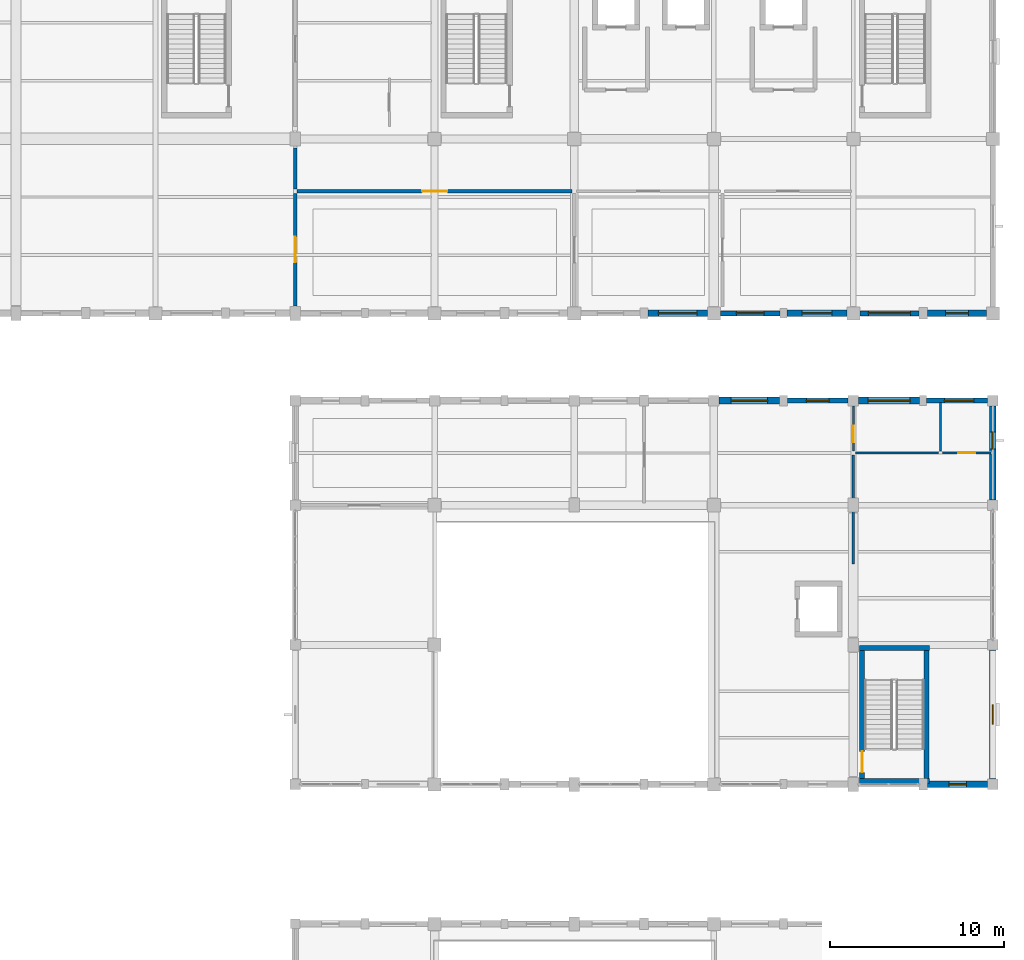
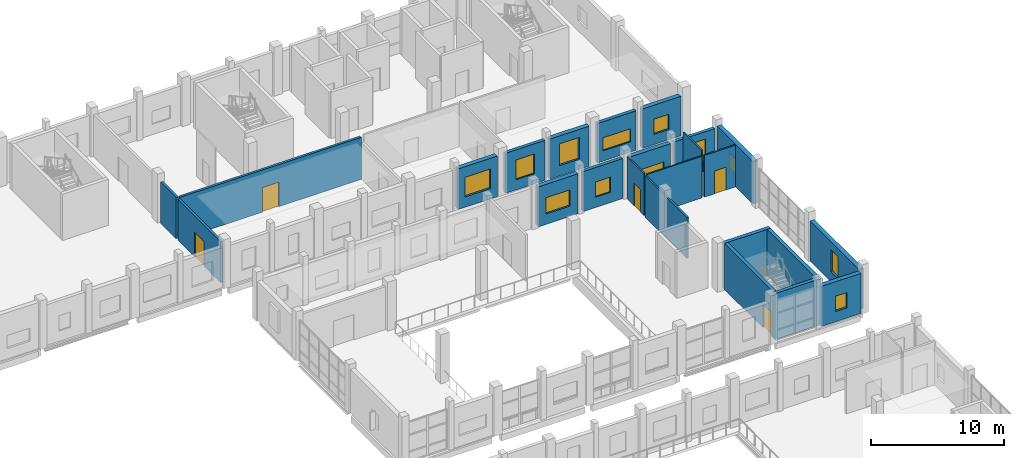
# One storey, part 151 of 183: 24 walls, 12 windows, 5 doors, 17 openings.
"""IFC4 building model written with IfcOpenShell, lengths in metres."""

from ifc_helpers import new_model, si_unit, direction, frame, frame_2d, origin, place, context, subcontext, project, spatial, rectangle, extrude, material, layer, layer_set, type_object, element, fill, save


model = new_model("IFC4")

# Units and contexts
model_context = context("Model", 3, precision=1e-05, world=origin(), true_north=direction((0.0, 1.0)))
body_context = subcontext(model_context, "Body", "Model", "MODEL_VIEW")
ifc_project = project(units=[si_unit("LENGTHUNIT", "METRE"), si_unit("AREAUNIT", "SQUARE_METRE"), si_unit("VOLUMEUNIT", "CUBIC_METRE"), si_unit("PLANEANGLEUNIT", "RADIAN"), si_unit("MASSUNIT", "GRAM", prefix="KILO")], contexts=[model_context])

# Site, building, storey
site_placement = place(None, origin())
site = spatial("IfcSite", under=ifc_project, at=site_placement, CompositionType="ELEMENT")
building_placement = place(site_placement, origin())
building = spatial("IfcBuilding", under=site, at=building_placement, Name="Luwemba Playhouse", CompositionType="ELEMENT")
storey_placement = place(building_placement, frame((0.0, 0.0, 4.800048828125)))
storey = spatial("IfcBuildingStorey", under=building, at=storey_placement, Name="L01", CompositionType="ELEMENT", Elevation=4.800048828125)

# Wall, opening, window
ifc_material_1 = material(Name="Clay facing brick obra vista masonry", Category="masonry")
ifc_layer_1 = layer(ifc_material_1, 0.3798828125)
ifc_layer_set_1 = layer_set([ifc_layer_1], Name="Clay facing brick obra vista masonry")
wall_type_1 = type_object("IfcWallType", Name="WAL-BRK-380", PredefinedType="SOLIDWALL", material=ifc_layer_set_1)
wall_1_placement = place(storey_placement, frame((156.300048828125, 90.0, 0.0), z_axis=(0.0, 0.0, 1.0), x_axis=(1.0, 0.0, 0.0)))
wall_1 = element("IfcWall", 1, at=wall_1_placement, inside=storey, type_object=wall_type_1, Name="L01 V4 exterior facade wall 0189", PredefinedType="SOLIDWALL", context=body_context, shape_type="SweptSolid", body=[
    extrude(rectangle(XDim=3.474853515625, YDim=0.3798828125, at=frame_2d((1.7373046875, 0.0))), origin(), (0.0, 0.0, 1.0), 3.68505859375),
])
opening_1_placement = place(wall_1_placement, frame((0.6875, 0.0, 0.949951171875)))
opening_1 = element("IfcOpeningElement", 2, at=opening_1_placement, cuts=wall_1, Name="Opening WN-11", PredefinedType="OPENING", context=body_context, shape_type="SweptSolid", body=[
    extrude(rectangle(XDim=2.10009765625, YDim=1.5, at=frame_2d((1.050048828125, 0.75))), frame((0.0, 0.199951171875, 0.0), z_axis=(0.0, -1.0, 0.0), x_axis=(1.0, 0.0, 0.0)), (0.0, 0.0, 1.0), 0.39990234375),
])
ifc_material_2 = material(Name="Solar-control double glazing in aluminium frame", Category="aluminium")
window_type_1 = type_object("IfcWindowType", Name="WIN-WN-11", PartitioningType="TRIPLE_PANEL_VERTICAL", PredefinedType="WINDOW", material=ifc_material_2)
window_1_placement = place(opening_1_placement, origin())
window_1 = element("IfcWindow", 3, at=window_1_placement, inside=storey, type_object=window_type_1, Name="L01 V4 scheduled window 0138", OverallHeight=1.5, OverallWidth=2.10009765625, PartitioningType="TRIPLE_PANEL_VERTICAL", PredefinedType="WINDOW", context=body_context, shape_type="SweptSolid", body=[
    extrude(rectangle(XDim=2.10009765625, YDim=1.5, at=frame_2d((1.050048828125, 0.75))), frame((0.0, 0.030029296875, 0.0), z_axis=(0.0, -1.0, 0.0), x_axis=(1.0, 0.0, 0.0)), (0.0, 0.0, 1.0), 0.06005859375),
])
fill(opening_1, window_1)

wall_2_placement = place(storey_placement, frame((164.300048828125, 90.0, 0.0), z_axis=(0.0, 0.0, 1.0), x_axis=(1.0, 0.0, 0.0)))
wall_2 = element("IfcWall", 4, at=wall_2_placement, inside=storey, type_object=wall_type_1, Name="L01 V4 exterior facade wall 0191", PredefinedType="SOLIDWALL", context=body_context, shape_type="SweptSolid", body=[
    extrude(rectangle(XDim=3.5, YDim=0.3798828125, at=frame_2d((1.75, 0.0))), origin(), (0.0, 0.0, 1.0), 3.635009765625),
])
opening_2_placement = place(wall_2_placement, frame((0.550048828125, 0.0, 0.949951171875)))
opening_2 = element("IfcOpeningElement", 5, at=opening_2_placement, cuts=wall_2, Name="Opening WN-17", PredefinedType="OPENING", context=body_context, shape_type="SweptSolid", body=[
    extrude(rectangle(XDim=2.39990234375, YDim=1.199951171875, at=frame_2d((1.199951171875, 0.60009765625))), frame((0.0, 0.199951171875, 0.0), z_axis=(0.0, -1.0, 0.0), x_axis=(1.0, 0.0, 0.0)), (0.0, 0.0, 1.0), 0.39990234375),
])
window_type_2 = type_object("IfcWindowType", Name="WIN-WN-17", PartitioningType="TRIPLE_PANEL_HORIZONTAL", PredefinedType="WINDOW", material=ifc_material_2)
window_2_placement = place(opening_2_placement, origin())
window_2 = element("IfcWindow", 6, at=window_2_placement, inside=storey, type_object=window_type_2, Name="L01 V4 scheduled window 0140", OverallHeight=1.199951171875, OverallWidth=2.39990234375, PartitioningType="TRIPLE_PANEL_HORIZONTAL", PredefinedType="WINDOW", context=body_context, shape_type="SweptSolid", body=[
    extrude(rectangle(XDim=2.39990234375, YDim=1.199951171875, at=frame_2d((1.199951171875, 0.60009765625))), frame((0.0, 0.030029296875, 0.0), z_axis=(0.0, -1.0, 0.0), x_axis=(1.0, 0.0, 0.0)), (0.0, 0.0, 1.0), 0.06005859375),
])
fill(opening_2, window_2)

wall_3_placement = place(storey_placement, frame((172.0, 89.699951171875, 0.0), z_axis=(0.0, 0.0, 1.0), x_axis=(0.0, -1.0, 0.0)))
wall_3 = element("IfcWall", 7, at=wall_3_placement, inside=storey, type_object=wall_type_1, Name="L01 V4 exterior facade wall 0193", PredefinedType="SOLIDWALL", context=body_context, shape_type="SweptSolid", body=[
    extrude(rectangle(XDim=5.39990234375, YDim=0.3798828125, at=frame_2d((2.699951171875, 0.0))), origin(), (0.0, 0.0, 1.0), 3.93505859375),
])
opening_3_placement = place(wall_3_placement, frame((1.489990234375, 0.0, 0.949951171875)))
opening_3 = element("IfcOpeningElement", 8, at=opening_3_placement, cuts=wall_3, Name="Opening WN-13", PredefinedType="OPENING", context=body_context, shape_type="SweptSolid", body=[
    extrude(rectangle(XDim=1.0, YDim=1.39990234375, at=frame_2d((0.5, 0.699951171875))), frame((0.0, 0.199951171875, 0.0), z_axis=(0.0, -1.0, 0.0), x_axis=(1.0, 0.0, 0.0)), (0.0, 0.0, 1.0), 0.39990234375),
])
window_type_3 = type_object("IfcWindowType", Name="WIN-WN-13", PartitioningType="SINGLE_PANEL", PredefinedType="WINDOW", material=ifc_material_2)
window_3_placement = place(opening_3_placement, origin())
window_3 = element("IfcWindow", 9, at=window_3_placement, inside=storey, type_object=window_type_3, Name="L01 V4 scheduled window 0142", OverallHeight=1.39990234375, OverallWidth=1.0, PartitioningType="SINGLE_PANEL", PredefinedType="WINDOW", context=body_context, shape_type="SweptSolid", body=[
    extrude(rectangle(XDim=1.0, YDim=1.39990234375, at=frame_2d((0.5, 0.699951171875))), frame((0.0, 0.030029296875, 0.0), z_axis=(0.0, -1.0, 0.0), x_axis=(1.0, 0.0, 0.0)), (0.0, 0.0, 1.0), 0.06005859375),
])
fill(opening_3, window_3)

wall_4_placement = place(storey_placement, frame((172.0, 75.699951171875, 0.0), z_axis=(0.0, 0.0, 1.0), x_axis=(0.0, -1.0, 0.0)))
wall_4 = element("IfcWall", 10, at=wall_4_placement, inside=storey, type_object=wall_type_1, Name="L01 V4 exterior facade wall 0194", PredefinedType="SOLIDWALL", context=body_context, shape_type="SweptSolid", body=[
    extrude(rectangle(XDim=7.39990234375, YDim=0.3798828125, at=frame_2d((3.699951171875, 0.0))), origin(), (0.0, 0.0, 1.0), 3.68505859375),
])
opening_4_placement = place(wall_4_placement, frame((3.14990234375, 0.0, 0.949951171875)))
opening_4 = element("IfcOpeningElement", 11, at=opening_4_placement, cuts=wall_4, Name="Opening WN-19", PredefinedType="OPENING", context=body_context, shape_type="SweptSolid", body=[
    extrude(rectangle(XDim=1.10009765625, YDim=2.0, at=frame_2d((0.550048828125, 1.0))), frame((0.0, 0.199951171875, 0.0), z_axis=(0.0, -1.0, 0.0), x_axis=(1.0, 0.0, 0.0)), (0.0, 0.0, 1.0), 0.39990234375),
])
window_type_4 = type_object("IfcWindowType", Name="WIN-WN-19", PartitioningType="SINGLE_PANEL", PredefinedType="WINDOW", material=ifc_material_2)
window_4_placement = place(opening_4_placement, origin())
window_4 = element("IfcWindow", 12, at=window_4_placement, inside=storey, type_object=window_type_4, Name="L01 V4 scheduled window 0143", OverallHeight=2.0, OverallWidth=1.10009765625, PartitioningType="SINGLE_PANEL", PredefinedType="WINDOW", context=body_context, shape_type="SweptSolid", body=[
    extrude(rectangle(XDim=1.10009765625, YDim=2.0, at=frame_2d((0.550048828125, 1.0))), frame((0.0, 0.030029296875, 0.0), z_axis=(0.0, -1.0, 0.0), x_axis=(1.0, 0.0, 0.0)), (0.0, 0.0, 1.0), 0.06005859375),
])
fill(opening_4, window_4)

wall_5_placement = place(storey_placement, frame((171.699951171875, 68.0, 0.0), z_axis=(0.0, 0.0, 1.0), x_axis=(-1.0, 0.0, 0.0)))
wall_5 = element("IfcWall", 13, at=wall_5_placement, inside=storey, type_object=wall_type_1, Name="L01 V4 exterior facade wall 0195", PredefinedType="SOLIDWALL", context=body_context, shape_type="SweptSolid", body=[
    extrude(rectangle(XDim=3.449951171875, YDim=0.3798828125, at=frame_2d((1.72509765625, 0.0))), origin(), (0.0, 0.0, 1.0), 3.68505859375),
])
opening_5_placement = place(wall_5_placement, frame((1.22509765625, 0.0, 0.949951171875)))
opening_5 = element("IfcOpeningElement", 14, at=opening_5_placement, cuts=wall_5, Name="Opening WN-13", PredefinedType="OPENING", context=body_context, shape_type="SweptSolid", body=[
    extrude(rectangle(XDim=1.0, YDim=1.39990234375, at=frame_2d((0.5, 0.699951171875))), frame((0.0, 0.199951171875, 0.0), z_axis=(0.0, -1.0, 0.0), x_axis=(1.0, 0.0, 0.0)), (0.0, 0.0, 1.0), 0.39990234375),
])
window_5_placement = place(opening_5_placement, origin())
window_5 = element("IfcWindow", 15, at=window_5_placement, inside=storey, type_object=window_type_3, Name="L01 V4 scheduled window 0144", OverallHeight=1.39990234375, OverallWidth=1.0, PartitioningType="SINGLE_PANEL", PredefinedType="WINDOW", context=body_context, shape_type="SweptSolid", body=[
    extrude(rectangle(XDim=1.0, YDim=1.39990234375, at=frame_2d((0.5, 0.699951171875))), frame((0.0, 0.030029296875, 0.0), z_axis=(0.0, -1.0, 0.0), x_axis=(1.0, 0.0, 0.0)), (0.0, 0.0, 1.0), 0.06005859375),
])
fill(opening_5, window_5)

wall_6_placement = place(storey_placement, frame((171.625, 95.0, 0.0), z_axis=(0.0, 0.0, 1.0), x_axis=(-1.0, 0.0, 0.0)))
wall_6 = element("IfcWall", 16, at=wall_6_placement, inside=storey, type_object=wall_type_1, Name="L01 V6E exterior facade wall 0254", PredefinedType="SOLIDWALL", context=body_context, shape_type="SweptSolid", body=[
    extrude(rectangle(XDim=3.375, YDim=0.3798828125, at=frame_2d((1.6875, 0.0))), origin(), (0.0, 0.0, 1.0), 3.635009765625),
])
opening_6_placement = place(wall_6_placement, frame((1.03759765625, 0.0, 0.949951171875)))
opening_6 = element("IfcOpeningElement", 17, at=opening_6_placement, cuts=wall_6, Name="Opening WN-14", PredefinedType="OPENING", context=body_context, shape_type="SweptSolid", body=[
    extrude(rectangle(XDim=1.300048828125, YDim=1.39990234375, at=frame_2d((0.64990234375, 0.699951171875))), frame((0.0, 0.199951171875, 0.0), z_axis=(0.0, -1.0, 0.0), x_axis=(1.0, 0.0, 0.0)), (0.0, 0.0, 1.0), 0.39990234375),
])
window_type_5 = type_object("IfcWindowType", Name="WIN-WN-14", PartitioningType="SINGLE_PANEL", PredefinedType="WINDOW", material=ifc_material_2)
window_6_placement = place(opening_6_placement, origin())
window_6 = element("IfcWindow", 18, at=window_6_placement, inside=storey, type_object=window_type_5, Name="L01 V6E scheduled window 0201", OverallHeight=1.39990234375, OverallWidth=1.300048828125, PartitioningType="SINGLE_PANEL", PredefinedType="WINDOW", context=body_context, shape_type="SweptSolid", body=[
    extrude(rectangle(XDim=1.300048828125, YDim=1.39990234375, at=frame_2d((0.64990234375, 0.699951171875))), frame((0.0, 0.030029296875, 0.0), z_axis=(0.0, -1.0, 0.0), x_axis=(1.0, 0.0, 0.0)), (0.0, 0.0, 1.0), 0.06005859375),
])
fill(opening_6, window_6)

wall_7_placement = place(storey_placement, frame((163.625, 95.0, 0.0), z_axis=(0.0, 0.0, 1.0), x_axis=(-1.0, 0.0, 0.0)))
wall_7 = element("IfcWall", 19, at=wall_7_placement, inside=storey, type_object=wall_type_1, Name="L01 V6E exterior facade wall 0256", PredefinedType="SOLIDWALL", context=body_context, shape_type="SweptSolid", body=[
    extrude(rectangle(XDim=3.425048828125, YDim=0.3798828125, at=frame_2d((1.71240234375, 0.0))), origin(), (0.0, 0.0, 1.0), 3.68505859375),
])
opening_7_placement = place(wall_7_placement, frame((0.862548828125, 0.0, 0.949951171875)))
opening_7 = element("IfcOpeningElement", 20, at=opening_7_placement, cuts=wall_7, Name="Opening WN-20", PredefinedType="OPENING", context=body_context, shape_type="SweptSolid", body=[
    extrude(rectangle(XDim=1.699951171875, YDim=2.0, at=frame_2d((0.85009765625, 1.0))), frame((0.0, 0.199951171875, 0.0), z_axis=(0.0, -1.0, 0.0), x_axis=(1.0, 0.0, 0.0)), (0.0, 0.0, 1.0), 0.39990234375),
])
window_type_6 = type_object("IfcWindowType", Name="WIN-WN-20", PartitioningType="DOUBLE_PANEL_VERTICAL", PredefinedType="WINDOW", material=ifc_material_2)
window_7_placement = place(opening_7_placement, origin())
window_7 = element("IfcWindow", 21, at=window_7_placement, inside=storey, type_object=window_type_6, Name="L01 V6E scheduled window 0203", OverallHeight=2.0, OverallWidth=1.699951171875, PartitioningType="DOUBLE_PANEL_VERTICAL", PredefinedType="WINDOW", context=body_context, shape_type="SweptSolid", body=[
    extrude(rectangle(XDim=1.699951171875, YDim=2.0, at=frame_2d((0.85009765625, 1.0))), frame((0.0, 0.030029296875, 0.0), z_axis=(0.0, -1.0, 0.0), x_axis=(1.0, 0.0, 0.0)), (0.0, 0.0, 1.0), 0.06005859375),
])
fill(opening_7, window_7)

wall_8_placement = place(storey_placement, frame((155.625, 95.0, 0.0), z_axis=(0.0, 0.0, 1.0), x_axis=(-1.0, 0.0, 0.0)))
wall_8 = element("IfcWall", 22, at=wall_8_placement, inside=storey, type_object=wall_type_1, Name="L01 V6E exterior facade wall 0258", PredefinedType="SOLIDWALL", context=body_context, shape_type="SweptSolid", body=[
    extrude(rectangle(XDim=3.39990234375, YDim=0.3798828125, at=frame_2d((1.699951171875, 0.0))), origin(), (0.0, 0.0, 1.0), 3.73486328125),
])
opening_8_placement = place(wall_8_placement, frame((0.60009765625, 0.0, 0.949951171875)))
opening_8 = element("IfcOpeningElement", 23, at=opening_8_placement, cuts=wall_8, Name="Opening WN-06", PredefinedType="OPENING", context=body_context, shape_type="SweptSolid", body=[
    extrude(rectangle(XDim=2.199951171875, YDim=1.800048828125, at=frame_2d((1.10009765625, 0.89990234375))), frame((0.0, 0.199951171875, 0.0), z_axis=(0.0, -1.0, 0.0), x_axis=(1.0, 0.0, 0.0)), (0.0, 0.0, 1.0), 0.39990234375),
])
window_type_7 = type_object("IfcWindowType", Name="WIN-WN-06", PartitioningType="TRIPLE_PANEL_VERTICAL", PredefinedType="WINDOW", material=ifc_material_2)
window_8_placement = place(opening_8_placement, origin())
window_8 = element("IfcWindow", 24, at=window_8_placement, inside=storey, type_object=window_type_7, Name="L01 V6E scheduled window 0205", OverallHeight=1.800048828125, OverallWidth=2.199951171875, PartitioningType="TRIPLE_PANEL_VERTICAL", PredefinedType="WINDOW", context=body_context, shape_type="SweptSolid", body=[
    extrude(rectangle(XDim=2.199951171875, YDim=1.800048828125, at=frame_2d((1.10009765625, 0.89990234375))), frame((0.0, 0.030029296875, 0.0), z_axis=(0.0, -1.0, 0.0), x_axis=(1.0, 0.0, 0.0)), (0.0, 0.0, 1.0), 0.06005859375),
])
fill(opening_8, window_8)

# Walls
ifc_material_3 = material(Name="Concrete C40/50", Category="concrete")
ifc_layer_2 = layer(ifc_material_3, 0.300048828125)
ifc_layer_set_2 = layer_set([ifc_layer_2], Name="Concrete C40/50")
wall_type_2 = type_object("IfcWallType", Name="WAL-CORE-300", PredefinedType="SHEAR", material=ifc_layer_set_2)
for number, where, z_axis, x_axis, name in (
    (25, (164.35009765625, 68.18994140625, 0.0), (0.0, 0.0, 1.0), (1.0, 0.0, 0.0), "L01 ST-07 stair core wall S"),
    (26, (168.35009765625, 75.81005859375, 0.0), (0.0, 0.0, 1.0), (-1.0, 0.0, 0.0), "L01 ST-07 stair core wall N"),
):
    element("IfcWall", number, at=place(storey_placement, frame(where, z_axis=z_axis, x_axis=x_axis)), inside=storey, type_object=wall_type_2, Name=name, PredefinedType="SHEAR", context=body_context, shape_type="SweptSolid", body=[
        extrude(rectangle(XDim=4.0, YDim=0.300048828125, at=frame_2d((2.0, 0.0))), origin(), (0.0, 0.0, 1.0), 4.25),
    ])

# Wall, opening, door
wall_9_placement = place(storey_placement, frame((164.5, 75.659912109375, 0.0), z_axis=(0.0, 0.0, 1.0), x_axis=(0.0, -1.0, 0.0)))
wall_9 = element("IfcWall", 27, at=wall_9_placement, inside=storey, type_object=wall_type_2, Name="L01 ST-07 stair core wall W", PredefinedType="SHEAR", context=body_context, shape_type="SweptSolid", body=[
    extrude(rectangle(XDim=7.31982421875, YDim=0.300048828125, at=frame_2d((3.659912109375, 0.0))), origin(), (0.0, 0.0, 1.0), 4.25),
])
opening_9_placement = place(wall_9_placement, frame((5.77001953125, 0.0, 0.0)))
opening_9 = element("IfcOpeningElement", 28, at=opening_9_placement, cuts=wall_9, Name="Opening D-STAIR3", PredefinedType="OPENING", context=body_context, shape_type="SweptSolid", body=[
    extrude(rectangle(XDim=1.199951171875, YDim=2.14990234375, at=frame_2d((0.60009765625, 1.074951171875))), frame((0.0, 0.159912109375, 0.0), z_axis=(0.0, -1.0, 0.0), x_axis=(1.0, 0.0, 0.0)), (0.0, 0.0, 1.0), 0.320068359375),
])
ifc_material_4 = material(Name="Hardwood acoustic fire door leaf", Category="wood")
door_type_1 = type_object("IfcDoorType", Name="DR-STAIR-120", OperationType="NOTDEFINED", PredefinedType="DOOR", material=ifc_material_4)
door_1_placement = place(opening_9_placement, origin())
door_1 = element("IfcDoor", 29, at=door_1_placement, inside=storey, type_object=door_type_1, Name="L01 ST-07 protected stair entry door", OperationType="SINGLE_SWING_RIGHT", OverallHeight=2.14990234375, OverallWidth=1.199951171875, PredefinedType="DOOR", context=body_context, shape_type="SweptSolid", body=[
    extrude(rectangle(XDim=1.199951171875, YDim=2.14990234375, at=frame_2d((0.60009765625, 1.074951171875))), frame((0.0, 0.02490234375, 0.0), z_axis=(0.0, -1.0, 0.0), x_axis=(1.0, 0.0, 0.0)), (0.0, 0.0, 1.0), 0.050048828125),
])
fill(opening_9, door_1)

# Wall
wall_10_placement = place(storey_placement, frame((168.199951171875, 75.659912109375, 0.0), z_axis=(0.0, 0.0, 1.0), x_axis=(0.0, -1.0, 0.0)))
element("IfcWall", 30, at=wall_10_placement, inside=storey, type_object=wall_type_2, Name="L01 ST-07 stair core wall E", PredefinedType="SHEAR", context=body_context, shape_type="SweptSolid", body=[
    extrude(rectangle(XDim=7.31982421875, YDim=0.300048828125, at=frame_2d((3.659912109375, 0.0))), origin(), (0.0, 0.0, 1.0), 4.25),
])

# Wall, opening, door
ifc_material_5 = material(Name="Moisture-resistant sanitary partition", Category="gypsum")
ifc_layer_3 = layer(ifc_material_5, 0.1201171875)
ifc_layer_set_3 = layer_set([ifc_layer_3], Name="Moisture-resistant sanitary partition")
wall_type_3 = type_object("IfcWallType", Name="WAL-INT-120", PredefinedType="PARTITIONING", material=ifc_layer_set_3)
wall_11_placement = place(storey_placement, frame((164.0, 87.1201171875, 0.0), z_axis=(0.0, 0.0, 1.0), x_axis=(0.0, 1.0, 0.0)))
wall_11 = element("IfcWall", 31, at=wall_11_placement, inside=storey, type_object=wall_type_3, Name="L01 V4 interior partition 0133", PredefinedType="PARTITIONING", context=body_context, shape_type="SweptSolid", body=[
    extrude(rectangle(XDim=2.559814453125, YDim=0.1201171875, at=frame_2d((1.27978515625, 0.0))), origin(), (0.0, 0.0, 1.0), 3.875),
])
opening_10_placement = place(wall_11_placement, frame((0.497802734375, 0.0, 0.0)))
opening_10 = element("IfcOpeningElement", 32, at=opening_10_placement, cuts=wall_11, Name="Opening D-WC1", PredefinedType="OPENING", context=body_context, shape_type="SweptSolid", body=[
    extrude(rectangle(XDim=0.949951171875, YDim=2.10009765625, at=frame_2d((0.47509765625, 1.050048828125))), frame((0.0, 0.070068359375, 0.0), z_axis=(0.0, -1.0, 0.0), x_axis=(1.0, 0.0, 0.0)), (0.0, 0.0, 1.0), 0.14013671875),
])
ifc_material_6 = material(Name="Moisture-resistant laminate door", Category="wood")
door_type_2 = type_object("IfcDoorType", Name="DR-WC-095", OperationType="NOTDEFINED", PredefinedType="DOOR", material=ifc_material_6)
door_2_placement = place(opening_10_placement, origin())
door_2 = element("IfcDoor", 33, at=door_2_placement, inside=storey, type_object=door_type_2, Name="L01 Experimental Level 1 Corridor to Experimental Level 1 Toilets door", OperationType="SINGLE_SWING_RIGHT", OverallHeight=2.10009765625, OverallWidth=0.949951171875, PredefinedType="DOOR", context=body_context, shape_type="SweptSolid", body=[
    extrude(rectangle(XDim=0.949951171875, YDim=2.10009765625, at=frame_2d((0.47509765625, 1.050048828125))), frame((0.0, 0.02490234375, 0.0), z_axis=(0.0, -1.0, 0.0), x_axis=(1.0, 0.0, 0.0)), (0.0, 0.0, 1.0), 0.050048828125),
])
fill(opening_10, door_2)

wall_12_placement = place(storey_placement, frame((169.1201171875, 87.0, 0.0), z_axis=(0.0, 0.0, 1.0), x_axis=(1.0, 0.0, 0.0)))
wall_12 = element("IfcWall", 34, at=wall_12_placement, inside=storey, type_object=wall_type_3, Name="L01 V4 interior partition 0134", PredefinedType="PARTITIONING", context=body_context, shape_type="SweptSolid", body=[
    extrude(rectangle(XDim=2.759765625, YDim=0.1201171875, at=frame_2d((1.3798828125, 0.0))), origin(), (0.0, 0.0, 1.0), 3.8349609375),
])
opening_11_placement = place(wall_12_placement, frame((0.8798828125, 0.0, 0.0)))
opening_11 = element("IfcOpeningElement", 35, at=opening_11_placement, cuts=wall_12, Name="Opening D-AWC", PredefinedType="OPENING", context=body_context, shape_type="SweptSolid", body=[
    extrude(rectangle(XDim=1.0, YDim=2.10009765625, at=frame_2d((0.5, 1.050048828125))), frame((0.0, 0.070068359375, 0.0), z_axis=(0.0, -1.0, 0.0), x_axis=(1.0, 0.0, 0.0)), (0.0, 0.0, 1.0), 0.14013671875),
])
ifc_material_7 = material(Name="Accessible WC outward-assisted timber door", Category="wood")
door_type_3 = type_object("IfcDoorType", Name="DR-AWC-100", OperationType="NOTDEFINED", PredefinedType="DOOR", material=ifc_material_7)
door_3_placement = place(opening_11_placement, origin())
door_3 = element("IfcDoor", 36, at=door_3_placement, inside=storey, type_object=door_type_3, Name="L01 Experimental Cast Dressing Room to Experimental Level 1 Accessible WC door", OperationType="SINGLE_SWING_LEFT", OverallHeight=2.10009765625, OverallWidth=1.0, PredefinedType="DOOR", context=body_context, shape_type="SweptSolid", body=[
    extrude(rectangle(XDim=1.0, YDim=2.10009765625, at=frame_2d((0.5, 1.050048828125))), frame((0.0, 0.02490234375, 0.0), z_axis=(0.0, -1.0, 0.0), x_axis=(1.0, 0.0, 0.0)), (0.0, 0.0, 1.0), 0.050048828125),
])
fill(opening_11, door_3)

# Walls
wall_13_placement = place(storey_placement, frame((164.1201171875, 87.0, 0.0), z_axis=(0.0, 0.0, 1.0), x_axis=(1.0, 0.0, 0.0)))
element("IfcWall", 37, at=wall_13_placement, inside=storey, type_object=wall_type_3, Name="L01 V4 interior partition 0135", PredefinedType="PARTITIONING", context=body_context, shape_type="SweptSolid", body=[
    extrude(rectangle(XDim=4.759765625, YDim=0.1201171875, at=frame_2d((2.3798828125, 0.0))), origin(), (0.0, 0.0, 1.0), 3.8349609375),
])
wall_14_placement = place(storey_placement, frame((169.0, 87.1201171875, 0.0), z_axis=(0.0, 0.0, 1.0), x_axis=(0.0, 1.0, 0.0)))
element("IfcWall", 38, at=wall_14_placement, inside=storey, type_object=wall_type_3, Name="L01 V4 interior partition 0136", PredefinedType="PARTITIONING", context=body_context, shape_type="SweptSolid", body=[
    extrude(rectangle(XDim=2.759765625, YDim=0.1201171875, at=frame_2d((1.3798828125, 0.0))), origin(), (0.0, 0.0, 1.0), 4.25),
])
ifc_material_8 = material(Name="Acoustic gypsum stud partition", Category="gypsum")
ifc_layer_4 = layer(ifc_material_8, 0.14990234375)
ifc_layer_set_4 = layer_set([ifc_layer_4], Name="Acoustic gypsum stud partition")
wall_type_4 = type_object("IfcWallType", Name="WAL-INT-150", PredefinedType="PARTITIONING", material=ifc_layer_set_4)
wall_15_placement = place(storey_placement, frame((164.0, 80.6201171875, 0.0), z_axis=(0.0, 0.0, 1.0), x_axis=(0.0, 1.0, 0.0)))
element("IfcWall", 39, at=wall_15_placement, inside=storey, type_object=wall_type_4, Name="L01 V4 interior partition 0132", PredefinedType="PARTITIONING", context=body_context, shape_type="SweptSolid", body=[
    extrude(rectangle(XDim=6.259765625, YDim=0.14990234375, at=frame_2d((3.1298828125, 0.0))), origin(), (0.0, 0.0, 1.0), 3.784912109375),
])

# Wall, opening, door
ifc_material_9 = material(Name="Clay acoustic masonry blockwork", Category="masonry")
ifc_layer_5 = layer(ifc_material_9, 0.199951171875)
ifc_layer_set_5 = layer_set([ifc_layer_5], Name="Clay acoustic masonry blockwork")
wall_type_5 = type_object("IfcWallType", Name="WAL-INT-200", PredefinedType="PARTITIONING", material=ifc_layer_set_5)
wall_16_placement = place(storey_placement, frame((132.0, 95.419921875, 0.0), z_axis=(0.0, 0.0, 1.0), x_axis=(0.0, 1.0, 0.0)))
wall_16 = element("IfcWall", 40, at=wall_16_placement, inside=storey, type_object=wall_type_5, Name="L01 V6E interior partition 0147", PredefinedType="PARTITIONING", context=body_context, shape_type="SweptSolid", body=[
    extrude(rectangle(XDim=6.4599609375, YDim=0.199951171875, at=frame_2d((3.22998046875, 0.0))), origin(), (0.0, 0.0, 1.0), 3.784912109375),
])
opening_12_placement = place(wall_16_placement, frame((2.5048828125, 0.0, 0.0)))
opening_12 = element("IfcOpeningElement", 41, at=opening_12_placement, cuts=wall_16, Name="Opening D-REH1", PredefinedType="OPENING", context=body_context, shape_type="SweptSolid", body=[
    extrude(rectangle(XDim=1.449951171875, YDim=2.25, at=frame_2d((0.72509765625, 1.125))), frame((0.0, 0.10986328125, 0.0), z_axis=(0.0, -1.0, 0.0), x_axis=(1.0, 0.0, 0.0)), (0.0, 0.0, 1.0), 0.219970703125),
])
ifc_material_10 = material(Name="Acoustic rehearsal leaf-and-half door", Category="wood")
door_type_4 = type_object("IfcDoorType", Name="DR-REH-145", OperationType="NOTDEFINED", PredefinedType="DOOR", material=ifc_material_10)
door_4_placement = place(opening_12_placement, origin())
door_4 = element("IfcDoor", 42, at=door_4_placement, inside=storey, type_object=door_type_4, Name="L01 Choral and Opera Rehearsal Hall to Ensemble Music Practice Suites door", OperationType="SINGLE_SWING_LEFT", OverallHeight=2.25, OverallWidth=1.449951171875, PredefinedType="DOOR", context=body_context, shape_type="SweptSolid", body=[
    extrude(rectangle(XDim=1.449951171875, YDim=2.25, at=frame_2d((0.72509765625, 1.125))), frame((0.0, 0.02490234375, 0.0), z_axis=(0.0, -1.0, 0.0), x_axis=(1.0, 0.0, 0.0)), (0.0, 0.0, 1.0), 0.050048828125),
])
fill(opening_12, door_4)

# Wall
wall_17_placement = place(storey_placement, frame((132.0, 102.1201171875, 0.0), z_axis=(0.0, 0.0, 1.0), x_axis=(0.0, 1.0, 0.0)))
element("IfcWall", 43, at=wall_17_placement, inside=storey, type_object=wall_type_5, Name="L01 V6E interior partition 0148", PredefinedType="PARTITIONING", context=body_context, shape_type="SweptSolid", body=[
    extrude(rectangle(XDim=2.35986328125, YDim=0.199951171875, at=frame_2d((1.179931640625, 0.0))), origin(), (0.0, 0.0, 1.0), 3.784912109375),
])

# Wall, opening, door
wall_18_placement = place(storey_placement, frame((132.1201171875, 102.0, 0.0), z_axis=(0.0, 0.0, 1.0), x_axis=(1.0, 0.0, 0.0)))
wall_18 = element("IfcWall", 44, at=wall_18_placement, inside=storey, type_object=wall_type_5, Name="L01 V6E interior partition 0150", PredefinedType="PARTITIONING", context=body_context, shape_type="SweptSolid", body=[
    extrude(rectangle(XDim=15.759765625, YDim=0.199951171875, at=frame_2d((7.8798828125, 0.0))), origin(), (0.0, 0.0, 1.0), 3.875),
])
opening_13_placement = place(wall_18_placement, frame((7.155029296875, 0.0, 0.0)))
opening_13 = element("IfcOpeningElement", 45, at=opening_13_placement, cuts=wall_18, Name="Opening D-REH1", PredefinedType="OPENING", context=body_context, shape_type="SweptSolid", body=[
    extrude(rectangle(XDim=1.449951171875, YDim=2.25, at=frame_2d((0.72509765625, 1.125))), frame((0.0, 0.10986328125, 0.0), z_axis=(0.0, -1.0, 0.0), x_axis=(1.0, 0.0, 0.0)), (0.0, 0.0, 1.0), 0.219970703125),
])
door_5_placement = place(opening_13_placement, origin())
door_5 = element("IfcDoor", 46, at=door_5_placement, inside=storey, type_object=door_type_4, Name="L01 Ensemble Music Practice Suites to Conservatory Level 1 Corridor door", OperationType="SINGLE_SWING_LEFT", OverallHeight=2.25, OverallWidth=1.449951171875, PredefinedType="DOOR", context=body_context, shape_type="SweptSolid", body=[
    extrude(rectangle(XDim=1.449951171875, YDim=2.25, at=frame_2d((0.72509765625, 1.125))), frame((0.0, 0.02490234375, 0.0), z_axis=(0.0, -1.0, 0.0), x_axis=(1.0, 0.0, 0.0)), (0.0, 0.0, 1.0), 0.050048828125),
])
fill(opening_13, door_5)

# Wall, opening, window
ifc_material_11 = material(Name="Structural timber GL24h infill", Category="wood")
ifc_layer_6 = layer(ifc_material_11, 0.280029296875)
ifc_layer_set_6 = layer_set([ifc_layer_6], Name="Structural timber GL24h infill")
wall_type_6 = type_object("IfcWallType", Name="WAL-TIM-280", PredefinedType="SOLIDWALL", material=ifc_layer_set_6)
wall_19_placement = place(storey_placement, frame((160.22509765625, 90.0, 0.0), z_axis=(0.0, 0.0, 1.0), x_axis=(1.0, 0.0, 0.0)))
wall_19 = element("IfcWall", 47, at=wall_19_placement, inside=storey, type_object=wall_type_6, Name="L01 V4 exterior facade wall 0190", PredefinedType="SOLIDWALL", context=body_context, shape_type="SweptSolid", body=[
    extrude(rectangle(XDim=3.474853515625, YDim=0.280029296875, at=frame_2d((1.7373046875, 0.0))), origin(), (0.0, 0.0, 1.0), 3.68505859375),
])
opening_14_placement = place(wall_19_placement, frame((1.08740234375, 0.0, 0.949951171875)))
opening_14 = element("IfcOpeningElement", 48, at=opening_14_placement, cuts=wall_19, Name="Opening WN-14", PredefinedType="OPENING", context=body_context, shape_type="SweptSolid", body=[
    extrude(rectangle(XDim=1.300048828125, YDim=1.39990234375, at=frame_2d((0.64990234375, 0.699951171875))), frame((0.0, 0.14990234375, 0.0), z_axis=(0.0, -1.0, 0.0), x_axis=(1.0, 0.0, 0.0)), (0.0, 0.0, 1.0), 0.300048828125),
])
window_9_placement = place(opening_14_placement, origin())
window_9 = element("IfcWindow", 49, at=window_9_placement, inside=storey, type_object=window_type_5, Name="L01 V4 scheduled window 0139", OverallHeight=1.39990234375, OverallWidth=1.300048828125, PartitioningType="SINGLE_PANEL", PredefinedType="WINDOW", context=body_context, shape_type="SweptSolid", body=[
    extrude(rectangle(XDim=1.300048828125, YDim=1.39990234375, at=frame_2d((0.64990234375, 0.699951171875))), frame((0.0, 0.030029296875, 0.0), z_axis=(0.0, -1.0, 0.0), x_axis=(1.0, 0.0, 0.0)), (0.0, 0.0, 1.0), 0.06005859375),
])
fill(opening_14, window_9)

wall_20_placement = place(storey_placement, frame((168.199951171875, 90.0, 0.0), z_axis=(0.0, 0.0, 1.0), x_axis=(1.0, 0.0, 0.0)))
wall_20 = element("IfcWall", 50, at=wall_20_placement, inside=storey, type_object=wall_type_6, Name="L01 V4 exterior facade wall 0192", PredefinedType="SOLIDWALL", context=body_context, shape_type="SweptSolid", body=[
    extrude(rectangle(XDim=3.5, YDim=0.280029296875, at=frame_2d((1.75, 0.0))), origin(), (0.0, 0.0, 1.0), 3.635009765625),
])
opening_15_placement = place(wall_20_placement, frame((1.010009765625, 0.0, 0.949951171875)))
opening_15 = element("IfcOpeningElement", 51, at=opening_15_placement, cuts=wall_20, Name="Opening WN-20", PredefinedType="OPENING", context=body_context, shape_type="SweptSolid", body=[
    extrude(rectangle(XDim=1.699951171875, YDim=2.0, at=frame_2d((0.85009765625, 1.0))), frame((0.0, 0.14990234375, 0.0), z_axis=(0.0, -1.0, 0.0), x_axis=(1.0, 0.0, 0.0)), (0.0, 0.0, 1.0), 0.300048828125),
])
window_10_placement = place(opening_15_placement, origin())
window_10 = element("IfcWindow", 52, at=window_10_placement, inside=storey, type_object=window_type_6, Name="L01 V4 scheduled window 0141", OverallHeight=2.0, OverallWidth=1.699951171875, PartitioningType="DOUBLE_PANEL_VERTICAL", PredefinedType="WINDOW", context=body_context, shape_type="SweptSolid", body=[
    extrude(rectangle(XDim=1.699951171875, YDim=2.0, at=frame_2d((0.85009765625, 1.0))), frame((0.0, 0.030029296875, 0.0), z_axis=(0.0, -1.0, 0.0), x_axis=(1.0, 0.0, 0.0)), (0.0, 0.0, 1.0), 0.06005859375),
])
fill(opening_15, window_10)

wall_21_placement = place(storey_placement, frame((167.75, 95.0, 0.0), z_axis=(0.0, 0.0, 1.0), x_axis=(-1.0, 0.0, 0.0)))
wall_21 = element("IfcWall", 53, at=wall_21_placement, inside=storey, type_object=wall_type_6, Name="L01 V6E exterior facade wall 0255", PredefinedType="SOLIDWALL", context=body_context, shape_type="SweptSolid", body=[
    extrude(rectangle(XDim=3.375, YDim=0.280029296875, at=frame_2d((1.6875, 0.0))), origin(), (0.0, 0.0, 1.0), 3.635009765625),
])
opening_16_placement = place(wall_21_placement, frame((0.487548828125, 0.0, 0.949951171875)))
opening_16 = element("IfcOpeningElement", 54, at=opening_16_placement, cuts=wall_21, Name="Opening WN-17", PredefinedType="OPENING", context=body_context, shape_type="SweptSolid", body=[
    extrude(rectangle(XDim=2.39990234375, YDim=1.199951171875, at=frame_2d((1.199951171875, 0.60009765625))), frame((0.0, 0.14990234375, 0.0), z_axis=(0.0, -1.0, 0.0), x_axis=(1.0, 0.0, 0.0)), (0.0, 0.0, 1.0), 0.300048828125),
])
window_11_placement = place(opening_16_placement, origin())
window_11 = element("IfcWindow", 55, at=window_11_placement, inside=storey, type_object=window_type_2, Name="L01 V6E scheduled window 0202", OverallHeight=1.199951171875, OverallWidth=2.39990234375, PartitioningType="TRIPLE_PANEL_HORIZONTAL", PredefinedType="WINDOW", context=body_context, shape_type="SweptSolid", body=[
    extrude(rectangle(XDim=2.39990234375, YDim=1.199951171875, at=frame_2d((1.199951171875, 0.60009765625))), frame((0.0, 0.030029296875, 0.0), z_axis=(0.0, -1.0, 0.0), x_axis=(1.0, 0.0, 0.0)), (0.0, 0.0, 1.0), 0.06005859375),
])
fill(opening_16, window_11)

wall_22_placement = place(storey_placement, frame((159.800048828125, 95.0, 0.0), z_axis=(0.0, 0.0, 1.0), x_axis=(-1.0, 0.0, 0.0)))
wall_22 = element("IfcWall", 56, at=wall_22_placement, inside=storey, type_object=wall_type_6, Name="L01 V6E exterior facade wall 0257", PredefinedType="SOLIDWALL", context=body_context, shape_type="SweptSolid", body=[
    extrude(rectangle(XDim=3.425048828125, YDim=0.280029296875, at=frame_2d((1.71240234375, 0.0))), origin(), (0.0, 0.0, 1.0), 3.68505859375),
])
opening_17_placement = place(wall_22_placement, frame((0.91259765625, 0.0, 0.949951171875)))
opening_17 = element("IfcOpeningElement", 57, at=opening_17_placement, cuts=wall_22, Name="Opening WN-03", PredefinedType="OPENING", context=body_context, shape_type="SweptSolid", body=[
    extrude(rectangle(XDim=1.60009765625, YDim=1.800048828125, at=frame_2d((0.800048828125, 0.89990234375))), frame((0.0, 0.14990234375, 0.0), z_axis=(0.0, -1.0, 0.0), x_axis=(1.0, 0.0, 0.0)), (0.0, 0.0, 1.0), 0.300048828125),
])
window_type_8 = type_object("IfcWindowType", Name="WIN-WN-03", PartitioningType="DOUBLE_PANEL_VERTICAL", PredefinedType="WINDOW", material=ifc_material_2)
window_12_placement = place(opening_17_placement, origin())
window_12 = element("IfcWindow", 58, at=window_12_placement, inside=storey, type_object=window_type_8, Name="L01 V6E scheduled window 0204", OverallHeight=1.800048828125, OverallWidth=1.60009765625, PartitioningType="DOUBLE_PANEL_VERTICAL", PredefinedType="WINDOW", context=body_context, shape_type="SweptSolid", body=[
    extrude(rectangle(XDim=1.60009765625, YDim=1.800048828125, at=frame_2d((0.800048828125, 0.89990234375))), frame((0.0, 0.030029296875, 0.0), z_axis=(0.0, -1.0, 0.0), x_axis=(1.0, 0.0, 0.0)), (0.0, 0.0, 1.0), 0.06005859375),
])
fill(opening_17, window_12)

save(model, "model.ifc")
